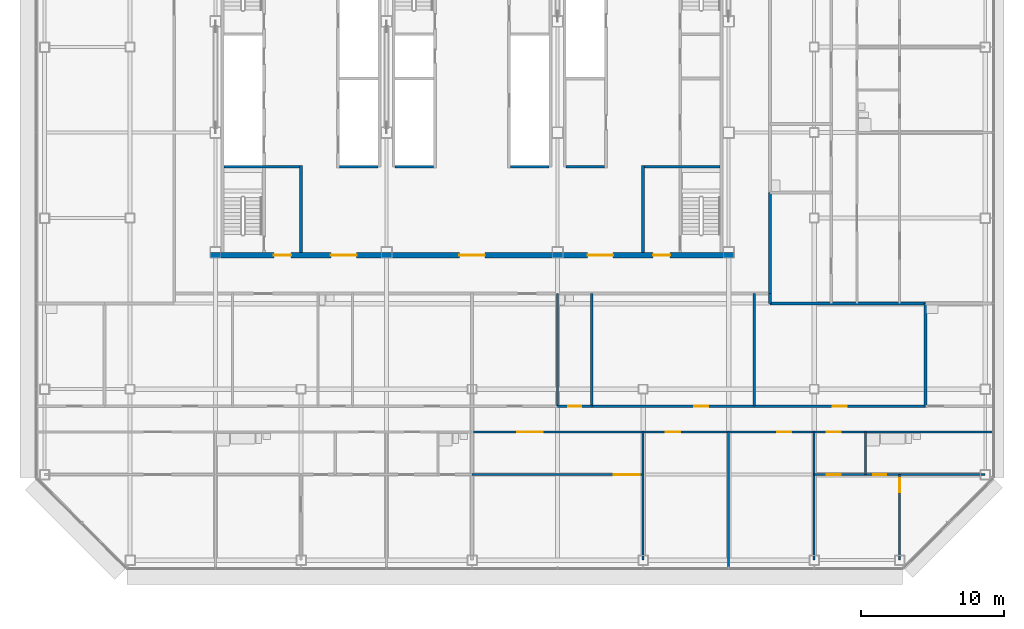
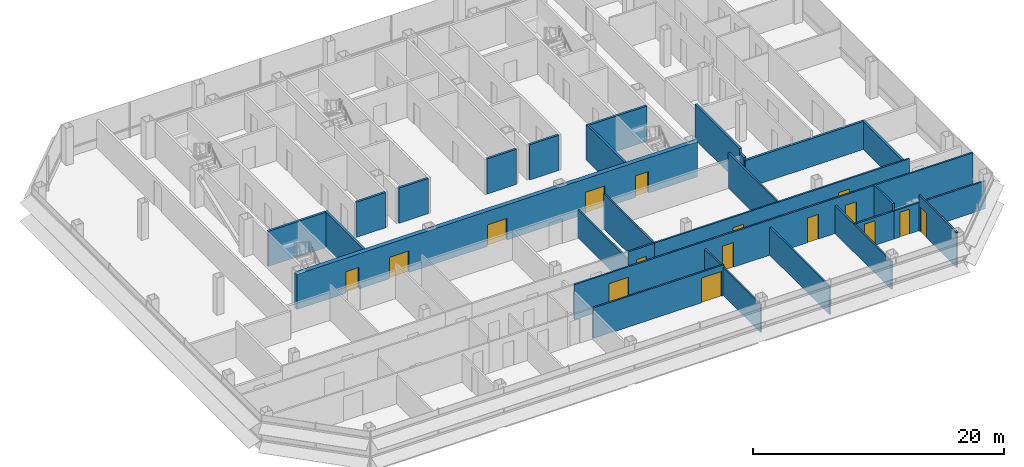
# One storey, part 20 of 26: 28 walls, 16 doors, 16 openings.
"""IFC4 building model written with IfcOpenShell, lengths in metres."""

from ifc_helpers import new_model, si_unit, direction, frame, frame_2d, origin, place, context, subcontext, project, spatial, rectangle, extrude, material, layer, layer_set, type_object, element, fill, save


model = new_model("IFC4")

# Units and contexts
model_context = context("Model", 3, precision=1e-05, world=origin(), true_north=direction((0.0, 1.0)))
body_context = subcontext(model_context, "Body", "Model", "MODEL_VIEW")
ifc_project = project(units=[si_unit("LENGTHUNIT", "METRE"), si_unit("AREAUNIT", "SQUARE_METRE"), si_unit("VOLUMEUNIT", "CUBIC_METRE"), si_unit("PLANEANGLEUNIT", "RADIAN"), si_unit("MASSUNIT", "GRAM", prefix="KILO")], contexts=[model_context])

# Site, building, storey
site_placement = place(None, origin())
site = spatial("IfcSite", under=ifc_project, at=site_placement, CompositionType="ELEMENT")
building_placement = place(site_placement, origin())
building = spatial("IfcBuilding", under=site, at=building_placement, Name="Sorahane Residences", CompositionType="ELEMENT")
storey_placement = place(building_placement, frame((0.0, 0.0, 151.0)))
storey = spatial("IfcBuildingStorey", under=building, at=storey_placement, Name="L34", CompositionType="ELEMENT", Elevation=151.0)

# Walls
ifc_material_1 = material(Name="Concrete blockwork C20 wall", Category="masonry")
ifc_layer_1 = layer(ifc_material_1, 0.199951171875)
ifc_layer_set_1 = layer_set([ifc_layer_1], Name="Corridor wall 200 EI 120")
wall_type_1 = type_object("IfcWallType", Name="Corridor wall 200 EI 120", PredefinedType="SOLIDWALL", material=ifc_layer_set_1)
wall_1_placement = place(storey_placement, frame((44.89990234375, 18.699951171875, 0.0), z_axis=(0.0, 0.0, 1.0), x_axis=(0.0, 1.0, 0.0)))
element("IfcWall", 1, at=wall_1_placement, inside=storey, type_object=wall_type_1, Name="L34 corridor wall", PredefinedType="SOLIDWALL", context=body_context, shape_type="SweptSolid", body=[
    extrude(rectangle(XDim=7.10009765625, YDim=0.199951171875, at=frame_2d((3.550048828125, 0.0))), origin(), (0.0, 0.0, 1.0), 3.419921875),
])
ifc_material_2 = material(Name="Concrete C30", Category="concrete")
ifc_layer_2 = layer(ifc_material_2, 0.199951171875)
ifc_layer_set_2 = layer_set([ifc_layer_2], Name="Front room wall 200 EI 120")
wall_type_2 = type_object("IfcWallType", Name="Front room wall 200 EI 120", PredefinedType="PARTITIONING", material=ifc_layer_set_2)
for number, where, z_axis, x_axis, name in (
    (2, (12.0, 21.60009765625, 0.0), (0.0, 0.0, 1.0), (0.0, 1.0, 0.0), "L34 front room wall"),
    (3, (36.0, 21.60009765625, 0.0), (0.0, 0.0, 1.0), (0.0, 1.0, 0.0), "L34 front room wall"),
):
    element("IfcWall", number, at=place(storey_placement, frame(where, z_axis=z_axis, x_axis=x_axis)), inside=storey, type_object=wall_type_2, Name=name, PredefinedType="PARTITIONING", context=body_context, shape_type="SweptSolid", body=[
        extrude(rectangle(XDim=6.099853515625, YDim=0.199951171875, at=frame_2d((3.0498046875, 0.0))), origin(), (0.0, 0.0, 1.0), 3.419921875),
    ])
ifc_material_3 = material(Name="Concrete blockwork C20 wall", Category="masonry")
ifc_layer_3 = layer(ifc_material_3, 0.199951171875)
ifc_layer_set_3 = layer_set([ifc_layer_3], Name="Kitchen wall 200 EI 180")
wall_type_3 = type_object("IfcWallType", Name="Kitchen wall 200 EI 180", PredefinedType="SOLIDWALL", material=ifc_layer_set_3)
wall_2_placement = place(storey_placement, frame((55.800048828125, 10.800048828125, 0.0), z_axis=(0.0, 0.0, 1.0), x_axis=(0.0, 1.0, 0.0)))
element("IfcWall", 4, at=wall_2_placement, inside=storey, type_object=wall_type_3, Name="L34 kitchen wall", PredefinedType="SOLIDWALL", context=body_context, shape_type="SweptSolid", body=[
    extrude(rectangle(XDim=7.199951171875, YDim=0.199951171875, at=frame_2d((3.60009765625, 0.0))), origin(), (0.0, 0.0, 1.0), 2.719970703125),
])
ifc_material_4 = material(Name="Concrete C30", Category="concrete")
ifc_layer_4 = layer(ifc_material_4, 0.199951171875)
ifc_layer_set_4 = layer_set([ifc_layer_4], Name="Lift shaft wall 200 EI 120")
wall_type_4 = type_object("IfcWallType", Name="Lift shaft wall 200 EI 120", PredefinedType="SOLIDWALL", material=ifc_layer_set_4)
for number, where, z_axis, x_axis, name in (
    (5, (14.699951171875, 27.60009765625, 0.0), (0.0, 0.0, 1.0), (1.0, 0.0, 0.0), "L34 lift shaft wall"),
    (6, (18.60009765625, 27.60009765625, 0.0), (0.0, 0.0, 1.0), (1.0, 0.0, 0.0), "L34 lift shaft wall"),
):
    element("IfcWall", number, at=place(storey_placement, frame(where, z_axis=z_axis, x_axis=x_axis)), inside=storey, type_object=wall_type_4, Name=name, PredefinedType="SOLIDWALL", context=body_context, shape_type="SweptSolid", body=[
        extrude(rectangle(XDim=2.699951171875, YDim=0.199951171875, at=frame_2d((1.35009765625, 0.0))), origin(), (0.0, 0.0, 1.0), 3.419921875),
    ])
ifc_material_5 = material(Name="Gypsum board partition on steel studs", Category="steel")
ifc_layer_5 = layer(ifc_material_5, 0.14990234375)
ifc_layer_set_5 = layer_set([ifc_layer_5], Name="Partition 150 EI 90")
wall_type_5 = type_object("IfcWallType", Name="Partition 150 EI 90", PredefinedType="PARTITIONING", material=ifc_layer_set_5)
wall_3_placement = place(storey_placement, frame((36.0, 0.0, 0.0), z_axis=(0.0, 0.0, 1.0), x_axis=(0.0, 1.0, 0.0)))
element("IfcWall", 7, at=wall_3_placement, inside=storey, type_object=wall_type_5, Name="L34 partition", PredefinedType="PARTITIONING", context=body_context, shape_type="SweptSolid", body=[
    extrude(rectangle(XDim=9.0, YDim=0.14990234375, at=frame_2d((4.5, 0.0))), origin(), (0.0, 0.0, 1.0), 2.719970703125),
])
wall_4_placement = place(storey_placement, frame((42.0, -0.60009765625, 0.0), z_axis=(0.0, 0.0, 1.0), x_axis=(0.0, 1.0, 0.0)))
element("IfcWall", 8, at=wall_4_placement, inside=storey, type_object=wall_type_5, Name="L34 partition", PredefinedType="PARTITIONING", context=body_context, shape_type="SweptSolid", body=[
    extrude(rectangle(XDim=9.60009765625, YDim=0.14990234375, at=frame_2d((4.800048828125, 0.0))), origin(), (0.0, 0.0, 1.0), 2.719970703125),
])
wall_5_placement = place(storey_placement, frame((43.800048828125, 10.800048828125, 0.0), z_axis=(0.0, 0.0, 1.0), x_axis=(0.0, 1.0, 0.0)))
element("IfcWall", 9, at=wall_5_placement, inside=storey, type_object=wall_type_5, Name="L34 partition", PredefinedType="PARTITIONING", context=body_context, shape_type="SweptSolid", body=[
    extrude(rectangle(XDim=7.89990234375, YDim=0.14990234375, at=frame_2d((3.949951171875, 0.0))), origin(), (0.0, 0.0, 1.0), 3.419921875),
])
wall_6_placement = place(storey_placement, frame((48.0, 0.0, 0.0), z_axis=(0.0, 0.0, 1.0), x_axis=(0.0, 1.0, 0.0)))
element("IfcWall", 10, at=wall_6_placement, inside=storey, type_object=wall_type_5, Name="L34 partition", PredefinedType="PARTITIONING", context=body_context, shape_type="SweptSolid", body=[
    extrude(rectangle(XDim=9.0, YDim=0.14990234375, at=frame_2d((4.5, 0.0))), origin(), (0.0, 0.0, 1.0), 2.719970703125),
])

# Wall, opening, door
wall_7_placement = place(storey_placement, frame((54.0, 0.0, 0.0), z_axis=(0.0, 0.0, 1.0), x_axis=(0.0, 1.0, 0.0)))
wall_7 = element("IfcWall", 11, at=wall_7_placement, inside=storey, type_object=wall_type_5, Name="L34 partition", PredefinedType="PARTITIONING", context=body_context, shape_type="SweptSolid", body=[
    extrude(rectangle(XDim=6.0, YDim=0.14990234375, at=frame_2d((3.0, 0.0))), origin(), (0.0, 0.0, 1.0), 3.419921875),
])
opening_1_placement = place(wall_7_placement, frame((4.75, 0.0, 0.0)))
opening_1 = element("IfcOpeningElement", 12, at=opening_1_placement, cuts=wall_7, Name="Opening L34-26", PredefinedType="OPENING", context=body_context, shape_type="SweptSolid", body=[
    extrude(rectangle(XDim=1.0, YDim=2.39990234375, at=frame_2d((0.5, 1.199951171875))), frame((0.0, 0.0849609375, 0.0), z_axis=(0.0, -1.0, 0.0), x_axis=(1.0, 0.0, 0.0)), (0.0, 0.0, 1.0), 0.169921875),
])
ifc_material_6 = material(Name="Timber veneered fire door", Category="wood")
door_type_1 = type_object("IfcDoorType", Name="Room door 1000x2400 FD30", OperationType="NOTDEFINED", PredefinedType="DOOR", material=ifc_material_6)
door_1_placement = place(opening_1_placement, frame((1.0, 0.0, 0.0), z_axis=(0.0, 0.0, 1.0), x_axis=(-1.0, 0.0, 0.0)))
door_1 = element("IfcDoor", 13, at=door_1_placement, inside=storey, type_object=door_type_1, Name="Room door L34-26", OperationType="SINGLE_SWING_LEFT", OverallHeight=2.39990234375, OverallWidth=1.0, PredefinedType="DOOR", context=body_context, shape_type="SweptSolid", body=[
    extrude(rectangle(XDim=1.0, YDim=2.39990234375, at=frame_2d((0.5, 1.199951171875))), frame((0.0, 0.02490234375, 0.0), z_axis=(0.0, -1.0, 0.0), x_axis=(1.0, 0.0, 0.0)), (0.0, 0.0, 1.0), 0.050048828125),
])
fill(opening_1, door_1)

# Wall, openings, doors
wall_8_placement = place(storey_placement, frame((32.39990234375, 10.800048828125, 0.0), z_axis=(0.0, 0.0, 1.0), x_axis=(1.0, 0.0, 0.0)))
wall_8 = element("IfcWall", 14, at=wall_8_placement, inside=storey, type_object=wall_type_5, Name="L34 partition", PredefinedType="PARTITIONING", context=body_context, shape_type="SweptSolid", body=[
    extrude(rectangle(XDim=23.400146484375, YDim=0.14990234375, at=frame_2d((11.7001953125, 0.0))), origin(), (0.0, 0.0, 1.0), 3.419921875),
])
opening_2_placement = place(wall_8_placement, frame((7.179931640625, 0.0, 0.0)))
opening_2 = element("IfcOpeningElement", 15, at=opening_2_placement, cuts=wall_8, Name="Opening L34-17", PredefinedType="OPENING", context=body_context, shape_type="SweptSolid", body=[
    extrude(rectangle(XDim=1.0, YDim=2.39990234375, at=frame_2d((0.5, 1.199951171875))), frame((0.0, 0.0849609375, 0.0), z_axis=(0.0, -1.0, 0.0), x_axis=(1.0, 0.0, 0.0)), (0.0, 0.0, 1.0), 0.169921875),
])
opening_3_placement = place(wall_8_placement, frame((16.89990234375, 0.0, 0.0)))
opening_3 = element("IfcOpeningElement", 16, at=opening_3_placement, cuts=wall_8, Name="Opening L34-18", PredefinedType="OPENING", context=body_context, shape_type="SweptSolid", body=[
    extrude(rectangle(XDim=1.0, YDim=2.39990234375, at=frame_2d((0.5, 1.199951171875))), frame((0.0, 0.0849609375, 0.0), z_axis=(0.0, -1.0, 0.0), x_axis=(1.0, 0.0, 0.0)), (0.0, 0.0, 1.0), 0.169921875),
])
door_2_placement = place(opening_2_placement, origin())
door_2 = element("IfcDoor", 17, at=door_2_placement, inside=storey, type_object=door_type_1, Name="Room door L34-17", OperationType="SINGLE_SWING_RIGHT", OverallHeight=2.39990234375, OverallWidth=1.0, PredefinedType="DOOR", context=body_context, shape_type="SweptSolid", body=[
    extrude(rectangle(XDim=1.0, YDim=2.39990234375, at=frame_2d((0.5, 1.199951171875))), frame((0.0, 0.02490234375, 0.0), z_axis=(0.0, -1.0, 0.0), x_axis=(1.0, 0.0, 0.0)), (0.0, 0.0, 1.0), 0.050048828125),
])
fill(opening_2, door_2)
door_3_placement = place(opening_3_placement, origin())
door_3 = element("IfcDoor", 18, at=door_3_placement, inside=storey, type_object=door_type_1, Name="Room door L34-18", OperationType="SINGLE_SWING_RIGHT", OverallHeight=2.39990234375, OverallWidth=1.0, PredefinedType="DOOR", context=body_context, shape_type="SweptSolid", body=[
    extrude(rectangle(XDim=1.0, YDim=2.39990234375, at=frame_2d((0.5, 1.199951171875))), frame((0.0, 0.02490234375, 0.0), z_axis=(0.0, -1.0, 0.0), x_axis=(1.0, 0.0, 0.0)), (0.0, 0.0, 1.0), 0.050048828125),
])
fill(opening_3, door_3)

# Wall, opening, door
wall_9_placement = place(storey_placement, frame((24.0, 6.0, 0.0), z_axis=(0.0, 0.0, 1.0), x_axis=(1.0, 0.0, 0.0)))
wall_9 = element("IfcWall", 19, at=wall_9_placement, inside=storey, type_object=wall_type_5, Name="L34 partition", PredefinedType="PARTITIONING", context=body_context, shape_type="SweptSolid", body=[
    extrude(rectangle(XDim=12.0, YDim=0.14990234375, at=frame_2d((6.0, 0.0))), origin(), (0.0, 0.0, 1.0), 2.969970703125),
])
opening_4_placement = place(wall_9_placement, frame((9.949951171875, 0.0, 0.0)))
opening_4 = element("IfcOpeningElement", 20, at=opening_4_placement, cuts=wall_9, Name="Opening L34-24", PredefinedType="OPENING", context=body_context, shape_type="SweptSolid", body=[
    extrude(rectangle(XDim=1.800048828125, YDim=2.39990234375, at=frame_2d((0.89990234375, 1.199951171875))), frame((0.0, 0.0849609375, 0.0), z_axis=(0.0, -1.0, 0.0), x_axis=(1.0, 0.0, 0.0)), (0.0, 0.0, 1.0), 0.169921875),
])
ifc_material_7 = material(Name="Timber veneered fire door", Category="wood")
door_type_2 = type_object("IfcDoorType", Name="Double door 1800x2400 FD30", OperationType="NOTDEFINED", PredefinedType="DOOR", material=ifc_material_7)
door_4_placement = place(opening_4_placement, frame((1.800048828125, 0.0, 0.0), z_axis=(0.0, 0.0, 1.0), x_axis=(-1.0, 0.0, 0.0)))
door_4 = element("IfcDoor", 21, at=door_4_placement, inside=storey, type_object=door_type_2, Name="Double door L34-24", OperationType="SINGLE_SWING_LEFT", OverallHeight=2.39990234375, OverallWidth=1.800048828125, PredefinedType="DOOR", context=body_context, shape_type="SweptSolid", body=[
    extrude(rectangle(XDim=1.800048828125, YDim=2.39990234375, at=frame_2d((0.89990234375, 1.199951171875))), frame((0.0, 0.02490234375, 0.0), z_axis=(0.0, -1.0, 0.0), x_axis=(1.0, 0.0, 0.0)), (0.0, 0.0, 1.0), 0.050048828125),
])
fill(opening_4, door_4)

wall_10_placement = place(storey_placement, frame((48.0, 6.0, 0.0), z_axis=(0.0, 0.0, 1.0), x_axis=(1.0, 0.0, 0.0)))
wall_10 = element("IfcWall", 22, at=wall_10_placement, inside=storey, type_object=wall_type_5, Name="L34 partition", PredefinedType="PARTITIONING", context=body_context, shape_type="SweptSolid", body=[
    extrude(rectangle(XDim=3.60009765625, YDim=0.14990234375, at=frame_2d((1.800048828125, 0.0))), origin(), (0.0, 0.0, 1.0), 2.719970703125),
])
opening_5_placement = place(wall_10_placement, frame((0.8798828125, 0.0, 0.0)))
opening_5 = element("IfcOpeningElement", 23, at=opening_5_placement, cuts=wall_10, Name="Opening L34-25", PredefinedType="OPENING", context=body_context, shape_type="SweptSolid", body=[
    extrude(rectangle(XDim=1.0, YDim=2.39990234375, at=frame_2d((0.5, 1.199951171875))), frame((0.0, 0.0849609375, 0.0), z_axis=(0.0, -1.0, 0.0), x_axis=(1.0, 0.0, 0.0)), (0.0, 0.0, 1.0), 0.169921875),
])
door_5_placement = place(opening_5_placement, frame((1.0, 0.0, 0.0), z_axis=(0.0, 0.0, 1.0), x_axis=(-1.0, 0.0, 0.0)))
door_5 = element("IfcDoor", 24, at=door_5_placement, inside=storey, type_object=door_type_1, Name="Room door L34-25", OperationType="SINGLE_SWING_LEFT", OverallHeight=2.39990234375, OverallWidth=1.0, PredefinedType="DOOR", context=body_context, shape_type="SweptSolid", body=[
    extrude(rectangle(XDim=1.0, YDim=2.39990234375, at=frame_2d((0.5, 1.199951171875))), frame((0.0, 0.02490234375, 0.0), z_axis=(0.0, -1.0, 0.0), x_axis=(1.0, 0.0, 0.0)), (0.0, 0.0, 1.0), 0.050048828125),
])
fill(opening_5, door_5)

# Wall, openings, doors
wall_11_placement = place(storey_placement, frame((24.0, 9.0, 0.0), z_axis=(0.0, 0.0, 1.0), x_axis=(1.0, 0.0, 0.0)))
wall_11 = element("IfcWall", 25, at=wall_11_placement, inside=storey, type_object=wall_type_5, Name="L34 partition", PredefinedType="PARTITIONING", context=body_context, shape_type="SweptSolid", body=[
    extrude(rectangle(XDim=27.60009765625, YDim=0.14990234375, at=frame_2d((13.800048828125, 0.0))), origin(), (0.0, 0.0, 1.0), 3.419921875),
])
opening_6_placement = place(wall_11_placement, frame((3.159912109375, 0.0, 0.0)))
opening_6 = element("IfcOpeningElement", 26, at=opening_6_placement, cuts=wall_11, Name="Opening L34-20", PredefinedType="OPENING", context=body_context, shape_type="SweptSolid", body=[
    extrude(rectangle(XDim=1.800048828125, YDim=2.39990234375, at=frame_2d((0.89990234375, 1.199951171875))), frame((0.0, 0.0849609375, 0.0), z_axis=(0.0, -1.0, 0.0), x_axis=(1.0, 0.0, 0.0)), (0.0, 0.0, 1.0), 0.169921875),
])
opening_7_placement = place(wall_11_placement, frame((13.60009765625, 0.0, 0.0)))
opening_7 = element("IfcOpeningElement", 27, at=opening_7_placement, cuts=wall_11, Name="Opening L34-21", PredefinedType="OPENING", context=body_context, shape_type="SweptSolid", body=[
    extrude(rectangle(XDim=1.0, YDim=2.39990234375, at=frame_2d((0.5, 1.199951171875))), frame((0.0, 0.0849609375, 0.0), z_axis=(0.0, -1.0, 0.0), x_axis=(1.0, 0.0, 0.0)), (0.0, 0.0, 1.0), 0.169921875),
])
opening_8_placement = place(wall_11_placement, frame((21.39990234375, 0.0, 0.0)))
opening_8 = element("IfcOpeningElement", 28, at=opening_8_placement, cuts=wall_11, Name="Opening L34-22", PredefinedType="OPENING", context=body_context, shape_type="SweptSolid", body=[
    extrude(rectangle(XDim=1.0, YDim=2.39990234375, at=frame_2d((0.5, 1.199951171875))), frame((0.0, 0.0849609375, 0.0), z_axis=(0.0, -1.0, 0.0), x_axis=(1.0, 0.0, 0.0)), (0.0, 0.0, 1.0), 0.169921875),
])
opening_9_placement = place(wall_11_placement, frame((24.8798828125, 0.0, 0.0)))
opening_9 = element("IfcOpeningElement", 29, at=opening_9_placement, cuts=wall_11, Name="Opening L34-23", PredefinedType="OPENING", context=body_context, shape_type="SweptSolid", body=[
    extrude(rectangle(XDim=1.0, YDim=2.39990234375, at=frame_2d((0.5, 1.199951171875))), frame((0.0, 0.0849609375, 0.0), z_axis=(0.0, -1.0, 0.0), x_axis=(1.0, 0.0, 0.0)), (0.0, 0.0, 1.0), 0.169921875),
])
door_6_placement = place(opening_6_placement, frame((1.800048828125, 0.0, 0.0), z_axis=(0.0, 0.0, 1.0), x_axis=(-1.0, 0.0, 0.0)))
door_6 = element("IfcDoor", 30, at=door_6_placement, inside=storey, type_object=door_type_2, Name="Double door L34-20", OperationType="SINGLE_SWING_RIGHT", OverallHeight=2.39990234375, OverallWidth=1.800048828125, PredefinedType="DOOR", context=body_context, shape_type="SweptSolid", body=[
    extrude(rectangle(XDim=1.800048828125, YDim=2.39990234375, at=frame_2d((0.89990234375, 1.199951171875))), frame((0.0, 0.02490234375, 0.0), z_axis=(0.0, -1.0, 0.0), x_axis=(1.0, 0.0, 0.0)), (0.0, 0.0, 1.0), 0.050048828125),
])
fill(opening_6, door_6)
door_7_placement = place(opening_7_placement, frame((1.0, 0.0, 0.0), z_axis=(0.0, 0.0, 1.0), x_axis=(-1.0, 0.0, 0.0)))
door_7 = element("IfcDoor", 31, at=door_7_placement, inside=storey, type_object=door_type_1, Name="Room door L34-21", OperationType="SINGLE_SWING_LEFT", OverallHeight=2.39990234375, OverallWidth=1.0, PredefinedType="DOOR", context=body_context, shape_type="SweptSolid", body=[
    extrude(rectangle(XDim=1.0, YDim=2.39990234375, at=frame_2d((0.5, 1.199951171875))), frame((0.0, 0.02490234375, 0.0), z_axis=(0.0, -1.0, 0.0), x_axis=(1.0, 0.0, 0.0)), (0.0, 0.0, 1.0), 0.050048828125),
])
fill(opening_7, door_7)
door_8_placement = place(opening_8_placement, frame((1.0, 0.0, 0.0), z_axis=(0.0, 0.0, 1.0), x_axis=(-1.0, 0.0, 0.0)))
door_8 = element("IfcDoor", 32, at=door_8_placement, inside=storey, type_object=door_type_1, Name="Room door L34-22", OperationType="SINGLE_SWING_RIGHT", OverallHeight=2.39990234375, OverallWidth=1.0, PredefinedType="DOOR", context=body_context, shape_type="SweptSolid", body=[
    extrude(rectangle(XDim=1.0, YDim=2.39990234375, at=frame_2d((0.5, 1.199951171875))), frame((0.0, 0.02490234375, 0.0), z_axis=(0.0, -1.0, 0.0), x_axis=(1.0, 0.0, 0.0)), (0.0, 0.0, 1.0), 0.050048828125),
])
fill(opening_8, door_8)
door_9_placement = place(opening_9_placement, frame((1.0, 0.0, 0.0), z_axis=(0.0, 0.0, 1.0), x_axis=(-1.0, 0.0, 0.0)))
door_9 = element("IfcDoor", 33, at=door_9_placement, inside=storey, type_object=door_type_1, Name="Room door L34-23", OperationType="SINGLE_SWING_LEFT", OverallHeight=2.39990234375, OverallWidth=1.0, PredefinedType="DOOR", context=body_context, shape_type="SweptSolid", body=[
    extrude(rectangle(XDim=1.0, YDim=2.39990234375, at=frame_2d((0.5, 1.199951171875))), frame((0.0, 0.02490234375, 0.0), z_axis=(0.0, -1.0, 0.0), x_axis=(1.0, 0.0, 0.0)), (0.0, 0.0, 1.0), 0.050048828125),
])
fill(opening_9, door_9)

# Walls
ifc_material_8 = material(Name="Concrete blockwork C20 wall", Category="masonry")
ifc_layer_6 = layer(ifc_material_8, 0.199951171875)
ifc_layer_set_6 = layer_set([ifc_layer_6], Name="Party wall 200 EI 120")
wall_type_6 = type_object("IfcWallType", Name="Party wall 200 EI 120", PredefinedType="SOLIDWALL", material=ifc_layer_set_6)
wall_12_placement = place(storey_placement, frame((44.89990234375, 18.0, 0.0), z_axis=(0.0, 0.0, 1.0), x_axis=(0.0, 1.0, 0.0)))
element("IfcWall", 34, at=wall_12_placement, inside=storey, type_object=wall_type_6, Name="L34 party wall", PredefinedType="SOLIDWALL", context=body_context, shape_type="SweptSolid", body=[
    extrude(rectangle(XDim=0.699951171875, YDim=0.199951171875, at=frame_2d((0.35009765625, 0.0))), origin(), (0.0, 0.0, 1.0), 2.969970703125),
])
wall_13_placement = place(storey_placement, frame((44.89990234375, 18.0, 0.0), z_axis=(0.0, 0.0, 1.0), x_axis=(1.0, 0.0, 0.0)))
element("IfcWall", 35, at=wall_13_placement, inside=storey, type_object=wall_type_6, Name="L34 party wall", PredefinedType="SOLIDWALL", context=body_context, shape_type="SweptSolid", body=[
    extrude(rectangle(XDim=10.900146484375, YDim=0.199951171875, at=frame_2d((5.4501953125, 0.0))), origin(), (0.0, 0.0, 1.0), 2.719970703125),
])
ifc_material_9 = material(Name="Concrete C30", Category="concrete")
ifc_layer_7 = layer(ifc_material_9, 0.199951171875)
ifc_layer_set_7 = layer_set([ifc_layer_7], Name="Riser shaft wall 200 EI 120")
wall_type_7 = type_object("IfcWallType", Name="Riser shaft wall 200 EI 120", PredefinedType="SOLIDWALL", material=ifc_layer_set_7)
wall_14_placement = place(storey_placement, frame((26.699951171875, 27.60009765625, 0.0), z_axis=(0.0, 0.0, 1.0), x_axis=(1.0, 0.0, 0.0)))
element("IfcWall", 36, at=wall_14_placement, inside=storey, type_object=wall_type_7, Name="L34 riser wall", PredefinedType="SOLIDWALL", context=body_context, shape_type="SweptSolid", body=[
    extrude(rectangle(XDim=2.699951171875, YDim=0.199951171875, at=frame_2d((1.35009765625, 0.0))), origin(), (0.0, 0.0, 1.0), 3.419921875),
])
ifc_material_10 = material(Name="Concrete C30", Category="concrete")
ifc_layer_8 = layer(ifc_material_10, 0.199951171875)
ifc_layer_set_8 = layer_set([ifc_layer_8], Name="Service room partition 200 EI 60")
wall_type_8 = type_object("IfcWallType", Name="Service room partition 200 EI 60", PredefinedType="PARTITIONING", material=ifc_layer_set_8)
wall_15_placement = place(storey_placement, frame((30.60009765625, 27.60009765625, 0.0), z_axis=(0.0, 0.0, 1.0), x_axis=(1.0, 0.0, 0.0)))
element("IfcWall", 37, at=wall_15_placement, inside=storey, type_object=wall_type_8, Name="L34 service room wall", PredefinedType="PARTITIONING", context=body_context, shape_type="SweptSolid", body=[
    extrude(rectangle(XDim=2.699951171875, YDim=0.199951171875, at=frame_2d((1.35009765625, 0.0))), origin(), (0.0, 0.0, 1.0), 3.419921875),
])
ifc_material_11 = material(Name="Concrete C30", Category="concrete")
ifc_layer_9 = layer(ifc_material_11, 0.199951171875)
ifc_layer_set_9 = layer_set([ifc_layer_9], Name="Stair enclosure wall 200 EI 120")
wall_type_9 = type_object("IfcWallType", Name="Stair enclosure wall 200 EI 120", PredefinedType="SOLIDWALL", material=ifc_layer_set_9)
for number, where, z_axis, x_axis, name in (
    (38, (36.10009765625, 27.60009765625, 0.0), (0.0, 0.0, 1.0), (1.0, 0.0, 0.0), "L34 stair enclosure wall"),
    (39, (6.60009765625, 27.60009765625, 0.0), (0.0, 0.0, 1.0), (1.0, 0.0, 0.0), "L34 stair enclosure wall"),
):
    element("IfcWall", number, at=place(storey_placement, frame(where, z_axis=z_axis, x_axis=x_axis)), inside=storey, type_object=wall_type_9, Name=name, PredefinedType="SOLIDWALL", context=body_context, shape_type="SweptSolid", body=[
        extrude(rectangle(XDim=5.2998046875, YDim=0.199951171875, at=frame_2d((2.64990234375, 0.0))), origin(), (0.0, 0.0, 1.0), 3.419921875),
    ])

# Wall, openings, doors
ifc_material_12 = material(Name="Concrete C30", Category="concrete")
ifc_layer_10 = layer(ifc_material_12, 0.39990234375)
ifc_layer_set_10 = layer_set([ifc_layer_10], Name="Waiting hall wall 400 EI 120")
wall_type_10 = type_object("IfcWallType", Name="Waiting hall wall 400 EI 120", PredefinedType="SOLIDWALL", material=ifc_layer_set_10)
wall_16_placement = place(storey_placement, frame((5.60009765625, 21.39990234375, 0.0), z_axis=(0.0, 0.0, 1.0), x_axis=(1.0, 0.0, 0.0)))
wall_16 = element("IfcWall", 40, at=wall_16_placement, inside=storey, type_object=wall_type_10, Name="L34 waiting hall wall", PredefinedType="SOLIDWALL", context=body_context, shape_type="SweptSolid", body=[
    extrude(rectangle(XDim=36.7998046875, YDim=0.39990234375, at=frame_2d((18.39990234375, 0.0))), origin(), (0.0, 0.0, 1.0), 3.419921875),
])
opening_10_placement = place(wall_16_placement, frame((8.5, 0.0, 0.0)))
opening_10 = element("IfcOpeningElement", 41, at=opening_10_placement, cuts=wall_16, Name="Opening L34-C01", PredefinedType="OPENING", context=body_context, shape_type="SweptSolid", body=[
    extrude(rectangle(XDim=1.800048828125, YDim=2.10009765625, at=frame_2d((0.89990234375, 1.050048828125))), frame((0.0, 0.2099609375, 0.0), z_axis=(0.0, -1.0, 0.0), x_axis=(1.0, 0.0, 0.0)), (0.0, 0.0, 1.0), 0.419921875),
])
opening_11_placement = place(wall_16_placement, frame((17.5, 0.0, 0.0)))
opening_11 = element("IfcOpeningElement", 42, at=opening_11_placement, cuts=wall_16, Name="Opening L34-C02", PredefinedType="OPENING", context=body_context, shape_type="SweptSolid", body=[
    extrude(rectangle(XDim=1.800048828125, YDim=2.10009765625, at=frame_2d((0.89990234375, 1.050048828125))), frame((0.0, 0.2099609375, 0.0), z_axis=(0.0, -1.0, 0.0), x_axis=(1.0, 0.0, 0.0)), (0.0, 0.0, 1.0), 0.419921875),
])
opening_12_placement = place(wall_16_placement, frame((26.5, 0.0, 0.0)))
opening_12 = element("IfcOpeningElement", 43, at=opening_12_placement, cuts=wall_16, Name="Opening L34-C03", PredefinedType="OPENING", context=body_context, shape_type="SweptSolid", body=[
    extrude(rectangle(XDim=1.800048828125, YDim=2.10009765625, at=frame_2d((0.89990234375, 1.050048828125))), frame((0.0, 0.2099609375, 0.0), z_axis=(0.0, -1.0, 0.0), x_axis=(1.0, 0.0, 0.0)), (0.0, 0.0, 1.0), 0.419921875),
])
opening_13_placement = place(wall_16_placement, frame((4.5, 0.0, 0.0)))
opening_13 = element("IfcOpeningElement", 44, at=opening_13_placement, cuts=wall_16, Name="Opening L34-C04", PredefinedType="OPENING", context=body_context, shape_type="SweptSolid", body=[
    extrude(rectangle(XDim=1.199951171875, YDim=2.10009765625, at=frame_2d((0.60009765625, 1.050048828125))), frame((0.0, 0.2099609375, 0.0), z_axis=(0.0, -1.0, 0.0), x_axis=(1.0, 0.0, 0.0)), (0.0, 0.0, 1.0), 0.419921875),
])
opening_14_placement = place(wall_16_placement, frame((31.10009765625, 0.0, 0.0)))
opening_14 = element("IfcOpeningElement", 45, at=opening_14_placement, cuts=wall_16, Name="Opening L34-C05", PredefinedType="OPENING", context=body_context, shape_type="SweptSolid", body=[
    extrude(rectangle(XDim=1.199951171875, YDim=2.10009765625, at=frame_2d((0.60009765625, 1.050048828125))), frame((0.0, 0.2099609375, 0.0), z_axis=(0.0, -1.0, 0.0), x_axis=(1.0, 0.0, 0.0)), (0.0, 0.0, 1.0), 0.419921875),
])
ifc_material_13 = material(Name="Steel", Category="steel")
door_type_3 = type_object("IfcDoorType", Name="Stair front room door 1200x2100 FD120", OperationType="NOTDEFINED", PredefinedType="DOOR", material=ifc_material_13)
door_10_placement = place(opening_13_placement, frame((1.199951171875, 0.0, 0.0), z_axis=(0.0, 0.0, 1.0), x_axis=(-1.0, 0.0, 0.0)))
door_10 = element("IfcDoor", 46, at=door_10_placement, inside=storey, type_object=door_type_3, Name="Stair front room door Stair S4 front room L34", OperationType="SINGLE_SWING_LEFT", OverallHeight=2.10009765625, OverallWidth=1.199951171875, PredefinedType="DOOR", context=body_context, shape_type="SweptSolid", body=[
    extrude(rectangle(XDim=1.199951171875, YDim=2.10009765625, at=frame_2d((0.60009765625, 1.050048828125))), frame((0.0, 0.02490234375, 0.0), z_axis=(0.0, -1.0, 0.0), x_axis=(1.0, 0.0, 0.0)), (0.0, 0.0, 1.0), 0.050048828125),
])
fill(opening_13, door_10)
door_11_placement = place(opening_14_placement, frame((1.199951171875, 0.0, 0.0), z_axis=(0.0, 0.0, 1.0), x_axis=(-1.0, 0.0, 0.0)))
door_11 = element("IfcDoor", 47, at=door_11_placement, inside=storey, type_object=door_type_3, Name="Stair front room door Stair S5 front room L34", OperationType="SINGLE_SWING_LEFT", OverallHeight=2.10009765625, OverallWidth=1.199951171875, PredefinedType="DOOR", context=body_context, shape_type="SweptSolid", body=[
    extrude(rectangle(XDim=1.199951171875, YDim=2.10009765625, at=frame_2d((0.60009765625, 1.050048828125))), frame((0.0, 0.02490234375, 0.0), z_axis=(0.0, -1.0, 0.0), x_axis=(1.0, 0.0, 0.0)), (0.0, 0.0, 1.0), 0.050048828125),
])
fill(opening_14, door_11)
ifc_material_14 = material(Name="Steel", Category="steel")
door_type_4 = type_object("IfcDoorType", Name="Waiting hall door 1800x2100 FD60", OperationType="NOTDEFINED", PredefinedType="DOOR", material=ifc_material_14)
door_12_placement = place(opening_10_placement, frame((1.800048828125, 0.0, 0.0), z_axis=(0.0, 0.0, 1.0), x_axis=(-1.0, 0.0, 0.0)))
door_12 = element("IfcDoor", 48, at=door_12_placement, inside=storey, type_object=door_type_4, Name="Waiting hall door Residents' waiting hall L34", OperationType="SINGLE_SWING_LEFT", OverallHeight=2.10009765625, OverallWidth=1.800048828125, PredefinedType="DOOR", context=body_context, shape_type="SweptSolid", body=[
    extrude(rectangle(XDim=1.800048828125, YDim=2.10009765625, at=frame_2d((0.89990234375, 1.050048828125))), frame((0.0, 0.02490234375, 0.0), z_axis=(0.0, -1.0, 0.0), x_axis=(1.0, 0.0, 0.0)), (0.0, 0.0, 1.0), 0.050048828125),
])
fill(opening_10, door_12)
door_13_placement = place(opening_11_placement, frame((1.800048828125, 0.0, 0.0), z_axis=(0.0, 0.0, 1.0), x_axis=(-1.0, 0.0, 0.0)))
door_13 = element("IfcDoor", 49, at=door_13_placement, inside=storey, type_object=door_type_4, Name="Waiting hall door Residents' waiting hall L34", OperationType="SINGLE_SWING_LEFT", OverallHeight=2.10009765625, OverallWidth=1.800048828125, PredefinedType="DOOR", context=body_context, shape_type="SweptSolid", body=[
    extrude(rectangle(XDim=1.800048828125, YDim=2.10009765625, at=frame_2d((0.89990234375, 1.050048828125))), frame((0.0, 0.02490234375, 0.0), z_axis=(0.0, -1.0, 0.0), x_axis=(1.0, 0.0, 0.0)), (0.0, 0.0, 1.0), 0.050048828125),
])
fill(opening_11, door_13)
door_14_placement = place(opening_12_placement, frame((1.800048828125, 0.0, 0.0), z_axis=(0.0, 0.0, 1.0), x_axis=(-1.0, 0.0, 0.0)))
door_14 = element("IfcDoor", 50, at=door_14_placement, inside=storey, type_object=door_type_4, Name="Waiting hall door Residents' waiting hall L34", OperationType="SINGLE_SWING_LEFT", OverallHeight=2.10009765625, OverallWidth=1.800048828125, PredefinedType="DOOR", context=body_context, shape_type="SweptSolid", body=[
    extrude(rectangle(XDim=1.800048828125, YDim=2.10009765625, at=frame_2d((0.89990234375, 1.050048828125))), frame((0.0, 0.02490234375, 0.0), z_axis=(0.0, -1.0, 0.0), x_axis=(1.0, 0.0, 0.0)), (0.0, 0.0, 1.0), 0.050048828125),
])
fill(opening_12, door_14)

# Walls
ifc_material_15 = material(Name="Gypsum board partition on steel studs", Category="steel")
ifc_layer_11 = layer(ifc_material_15, 0.14990234375)
ifc_layer_set_11 = layer_set([ifc_layer_11], Name="Wet wall 150 EI 90")
wall_type_11 = type_object("IfcWallType", Name="Wet wall 150 EI 90", PredefinedType="PARTITIONING", material=ifc_layer_set_11)
wall_17_placement = place(storey_placement, frame((30.0, 10.800048828125, 0.0), z_axis=(0.0, 0.0, 1.0), x_axis=(0.0, 1.0, 0.0)))
element("IfcWall", 51, at=wall_17_placement, inside=storey, type_object=wall_type_11, Name="L34 wet wall", PredefinedType="PARTITIONING", context=body_context, shape_type="SweptSolid", body=[
    extrude(rectangle(XDim=7.89990234375, YDim=0.14990234375, at=frame_2d((3.949951171875, 0.0))), origin(), (0.0, 0.0, 1.0), 2.719970703125),
])
wall_18_placement = place(storey_placement, frame((32.39990234375, 10.800048828125, 0.0), z_axis=(0.0, 0.0, 1.0), x_axis=(0.0, 1.0, 0.0)))
element("IfcWall", 52, at=wall_18_placement, inside=storey, type_object=wall_type_11, Name="L34 wet wall", PredefinedType="PARTITIONING", context=body_context, shape_type="SweptSolid", body=[
    extrude(rectangle(XDim=7.89990234375, YDim=0.14990234375, at=frame_2d((3.949951171875, 0.0))), origin(), (0.0, 0.0, 1.0), 3.419921875),
])
wall_19_placement = place(storey_placement, frame((51.60009765625, 6.0, 0.0), z_axis=(0.0, 0.0, 1.0), x_axis=(0.0, 1.0, 0.0)))
element("IfcWall", 53, at=wall_19_placement, inside=storey, type_object=wall_type_11, Name="L34 wet wall", PredefinedType="PARTITIONING", context=body_context, shape_type="SweptSolid", body=[
    extrude(rectangle(XDim=3.0, YDim=0.14990234375, at=frame_2d((1.5, 0.0))), origin(), (0.0, 0.0, 1.0), 3.419921875),
])

# Wall, opening, door
wall_20_placement = place(storey_placement, frame((30.0, 10.800048828125, 0.0), z_axis=(0.0, 0.0, 1.0), x_axis=(1.0, 0.0, 0.0)))
wall_20 = element("IfcWall", 54, at=wall_20_placement, inside=storey, type_object=wall_type_11, Name="L34 wet wall", PredefinedType="PARTITIONING", context=body_context, shape_type="SweptSolid", body=[
    extrude(rectangle(XDim=2.39990234375, YDim=0.14990234375, at=frame_2d((1.199951171875, 0.0))), origin(), (0.0, 0.0, 1.0), 3.419921875),
])
opening_15_placement = place(wall_20_placement, frame((0.75, 0.0, 0.0)))
opening_15 = element("IfcOpeningElement", 55, at=opening_15_placement, cuts=wall_20, Name="Opening L34-16", PredefinedType="OPENING", context=body_context, shape_type="SweptSolid", body=[
    extrude(rectangle(XDim=0.89990234375, YDim=2.39990234375, at=frame_2d((0.449951171875, 1.199951171875))), frame((0.0, 0.0849609375, 0.0), z_axis=(0.0, -1.0, 0.0), x_axis=(1.0, 0.0, 0.0)), (0.0, 0.0, 1.0), 0.169921875),
])
ifc_material_16 = material(Name="Timber veneered fire door", Category="wood")
door_type_5 = type_object("IfcDoorType", Name="Bathroom door 900x2400 FD30", OperationType="NOTDEFINED", PredefinedType="DOOR", material=ifc_material_16)
door_15_placement = place(opening_15_placement, frame((0.89990234375, 0.0, 0.0), z_axis=(0.0, 0.0, 1.0), x_axis=(-1.0, 0.0, 0.0)))
door_15 = element("IfcDoor", 56, at=door_15_placement, inside=storey, type_object=door_type_5, Name="Bathroom door L34-16", OperationType="SINGLE_SWING_RIGHT", OverallHeight=2.39990234375, OverallWidth=0.89990234375, PredefinedType="DOOR", context=body_context, shape_type="SweptSolid", body=[
    extrude(rectangle(XDim=0.89990234375, YDim=2.39990234375, at=frame_2d((0.449951171875, 1.199951171875))), frame((0.0, 0.02490234375, 0.0), z_axis=(0.0, -1.0, 0.0), x_axis=(1.0, 0.0, 0.0)), (0.0, 0.0, 1.0), 0.050048828125),
])
fill(opening_15, door_15)

wall_21_placement = place(storey_placement, frame((51.60009765625, 6.0, 0.0), z_axis=(0.0, 0.0, 1.0), x_axis=(1.0, 0.0, 0.0)))
wall_21 = element("IfcWall", 57, at=wall_21_placement, inside=storey, type_object=wall_type_11, Name="L34 wet wall", PredefinedType="PARTITIONING", context=body_context, shape_type="SweptSolid", body=[
    extrude(rectangle(XDim=8.39990234375, YDim=0.14990234375, at=frame_2d((4.199951171875, 0.0))), origin(), (0.0, 0.0, 1.0), 2.719970703125),
])
opening_16_placement = place(wall_21_placement, frame((0.550048828125, 0.0, 0.0)))
opening_16 = element("IfcOpeningElement", 58, at=opening_16_placement, cuts=wall_21, Name="Opening L34-27", PredefinedType="OPENING", context=body_context, shape_type="SweptSolid", body=[
    extrude(rectangle(XDim=0.89990234375, YDim=2.39990234375, at=frame_2d((0.449951171875, 1.199951171875))), frame((0.0, 0.0849609375, 0.0), z_axis=(0.0, -1.0, 0.0), x_axis=(1.0, 0.0, 0.0)), (0.0, 0.0, 1.0), 0.169921875),
])
door_16_placement = place(opening_16_placement, frame((0.89990234375, 0.0, 0.0), z_axis=(0.0, 0.0, 1.0), x_axis=(-1.0, 0.0, 0.0)))
door_16 = element("IfcDoor", 59, at=door_16_placement, inside=storey, type_object=door_type_5, Name="Bathroom door L34-27", OperationType="SINGLE_SWING_RIGHT", OverallHeight=2.39990234375, OverallWidth=0.89990234375, PredefinedType="DOOR", context=body_context, shape_type="SweptSolid", body=[
    extrude(rectangle(XDim=0.89990234375, YDim=2.39990234375, at=frame_2d((0.449951171875, 1.199951171875))), frame((0.0, 0.02490234375, 0.0), z_axis=(0.0, -1.0, 0.0), x_axis=(1.0, 0.0, 0.0)), (0.0, 0.0, 1.0), 0.050048828125),
])
fill(opening_16, door_16)

# Wall
wall_22_placement = place(storey_placement, frame((51.60009765625, 9.0, 0.0), z_axis=(0.0, 0.0, 1.0), x_axis=(1.0, 0.0, 0.0)))
element("IfcWall", 60, at=wall_22_placement, inside=storey, type_object=wall_type_11, Name="L34 wet wall", PredefinedType="PARTITIONING", context=body_context, shape_type="SweptSolid", body=[
    extrude(rectangle(XDim=9.0, YDim=0.14990234375, at=frame_2d((4.5, 0.0))), origin(), (0.0, 0.0, 1.0), 3.419921875),
])

save(model, "model.ifc")
